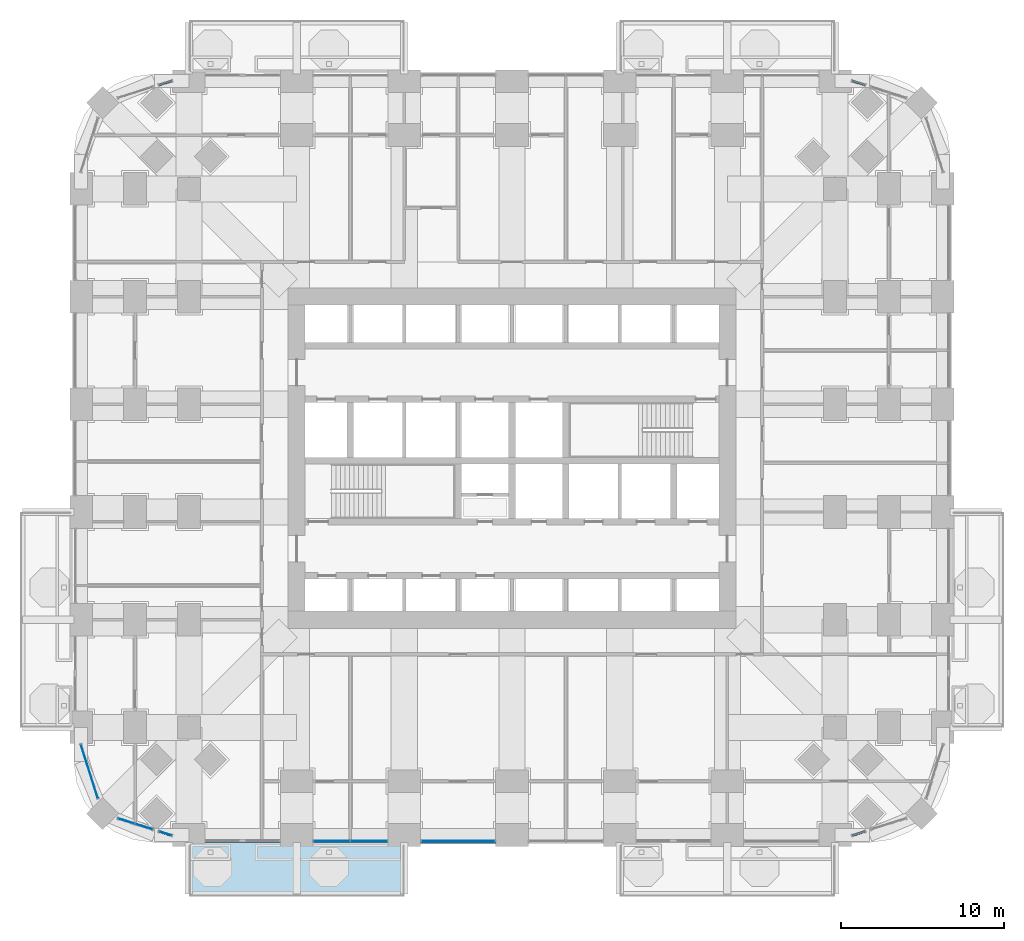
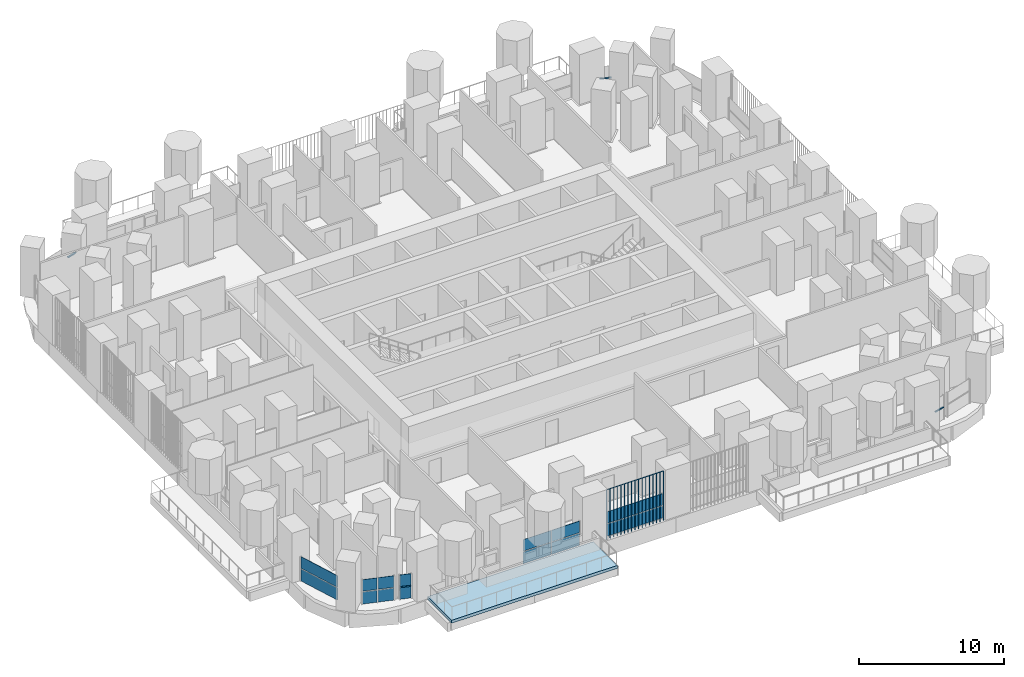
# One storey, part 11 of 27: 15 plates, 4 members, 1 slab, 8 elements without a shape of their own.
"""IFC4 building model written with IfcOpenShell, lengths in metres."""

from ifc_helpers import new_model, si_unit, direction, frame, origin, origin_2d, place, context, subcontext, project, spatial, polyline, rectangle, outline, extrude, material, layer, layer_set, material_profile, profile_set, type_object, element, aggregate, save


model = new_model("IFC4")

# Units and contexts
model_context = context("Model", 3, precision=1e-05, world=origin(), true_north=direction((0.0, 1.0)))
body_context = subcontext(model_context, "Body", "Model", "MODEL_VIEW")
ifc_project = project(units=[si_unit("LENGTHUNIT", "METRE"), si_unit("AREAUNIT", "SQUARE_METRE"), si_unit("VOLUMEUNIT", "CUBIC_METRE"), si_unit("PLANEANGLEUNIT", "RADIAN"), si_unit("MASSUNIT", "GRAM", prefix="KILO")], contexts=[model_context])

# Site, building, storey
site_placement = place(None, origin())
site = spatial("IfcSite", under=ifc_project, at=site_placement, CompositionType="ELEMENT")
building_placement = place(site_placement, origin())
building = spatial("IfcBuilding", under=site, at=building_placement, Name="Cobogo Forest Laboratory Tower", CompositionType="ELEMENT")
storey_placement = place(building_placement, frame((0.0, 0.0, 71.699951171875)))
storey = spatial("IfcBuildingStorey", under=building, at=storey_placement, Name="L16", CompositionType="ELEMENT", Elevation=71.699951171875)

# Curtain wall, member
ifc_material_1 = material(Name="Aluminium curtain wall", Category="aluminium")
curtain_wall_type = type_object("IfcCurtainWallType", Name="CW-1 unitised curtain wall, clear glazing, laboratory floors zones A and B", PredefinedType="USERDEFINED", material=ifc_material_1)
curtain_wall_1_placement = place(storey_placement, origin())
curtain_wall_1 = element("IfcCurtainWall", 1, at=curtain_wall_1_placement, inside=storey, type_object=curtain_wall_type, Name="Curtain wall 07 L16", ObjectType="UNITISED CURTAIN WALL", PredefinedType="USERDEFINED")
ifc_material_2 = material(Name="Aluminium transom", Category="aluminium")
ifc_material_profile = material_profile(ifc_material_2, rectangle(XDim=0.1201171875, YDim=0.06005859375, at=origin_2d()), Name="AL 60x120")
ifc_profile_set = profile_set([ifc_material_profile], Name="Aluminium transom")
member_type = type_object("IfcMemberType", Name="TR-1 aluminium transom 60x120", PredefinedType="USERDEFINED", material=ifc_profile_set)
member_1_placement = place(storey_placement, frame((47.25732421875, -0.01611328125, 1.050048828125), z_axis=(0.953541389606, 0.301262042596, 0.0), x_axis=(-0.301262042596, 0.953541389606, 0.0)))
member_1 = element("IfcMember", 2, at=member_1_placement, type_object=member_type, Name="CW-1 transom 1.1", ObjectType="TRANSOM", PredefinedType="USERDEFINED", context=body_context, shape_type="SweptSolid", body=[
    extrude(rectangle(XDim=0.1201171875, YDim=0.06005859375, at=origin_2d()), origin(), (0.0, 0.0, 1.0), 0.8046875),
])
aggregate(curtain_wall_1, [member_1])

curtain_wall_2_placement = place(storey_placement, origin())
curtain_wall_2 = element("IfcCurtainWall", 3, at=curtain_wall_2_placement, inside=storey, type_object=curtain_wall_type, Name="Curtain wall 17 L16", ObjectType="UNITISED CURTAIN WALL", PredefinedType="USERDEFINED")
member_2_placement = place(storey_placement, frame((48.024658203125, 45.973876953125, 1.050048828125), z_axis=(-0.953628510017, 0.300986153973, 0.0), x_axis=(-0.300986153973, -0.953628510017, 0.0)))
member_2 = element("IfcMember", 4, at=member_2_placement, type_object=member_type, Name="CW-1 transom 1.1", ObjectType="TRANSOM", PredefinedType="USERDEFINED", context=body_context, shape_type="SweptSolid", body=[
    extrude(rectangle(XDim=0.1201171875, YDim=0.06005859375, at=origin_2d()), origin(), (0.0, 0.0, 1.0), 0.8046875),
])
aggregate(curtain_wall_2, [member_2])

curtain_wall_3_placement = place(storey_placement, origin())
curtain_wall_3 = element("IfcCurtainWall", 5, at=curtain_wall_3_placement, inside=storey, type_object=curtain_wall_type, Name="Curtain wall 24 L16", ObjectType="UNITISED CURTAIN WALL", PredefinedType="USERDEFINED")
member_3_placement = place(storey_placement, frame((5.542724609375, 46.216064453125, 1.050048828125), z_axis=(-0.953628510017, -0.300986153973, 0.0), x_axis=(0.300986153973, -0.953628510017, 0.0)))
member_3 = element("IfcMember", 6, at=member_3_placement, type_object=member_type, Name="CW-1 transom 1.1", ObjectType="TRANSOM", PredefinedType="USERDEFINED", context=body_context, shape_type="SweptSolid", body=[
    extrude(rectangle(XDim=0.1201171875, YDim=0.06005859375, at=origin_2d()), origin(), (0.0, 0.0, 1.0), 0.8046875),
])
aggregate(curtain_wall_3, [member_3])

curtain_wall_4_placement = place(storey_placement, origin())
curtain_wall_4 = element("IfcCurtainWall", 7, at=curtain_wall_4_placement, inside=storey, type_object=curtain_wall_type, Name="Curtain wall 34 L16", ObjectType="UNITISED CURTAIN WALL", PredefinedType="USERDEFINED")
member_4_placement = place(storey_placement, frame((4.775390625, 0.226318359375, 1.050048828125), z_axis=(0.953541389606, -0.301262042596, 0.0), x_axis=(0.301262042596, 0.953541389606, 0.0)))
member_4 = element("IfcMember", 8, at=member_4_placement, type_object=member_type, Name="CW-1 transom 1.1", ObjectType="TRANSOM", PredefinedType="USERDEFINED", context=body_context, shape_type="SweptSolid", body=[
    extrude(rectangle(XDim=0.1201171875, YDim=0.06005859375, at=origin_2d()), origin(), (0.0, 0.0, 1.0), 0.8046875),
])

# Slab
ifc_material_3 = material(Name="Concrete HA-40 (C40/50)", Category="concrete")
ifc_layer_1 = layer(ifc_material_3, 0.25)
ifc_layer_set_1 = layer_set([ifc_layer_1], Name="Balcony slab 250")
slab_type = type_object("IfcSlabType", Name="Balcony slab 250", PredefinedType="FLOOR", material=ifc_layer_set_1)
slab_placement = place(storey_placement, frame((0.0, 0.0, -0.25)))
element("IfcSlab", 9, at=slab_placement, inside=storey, type_object=slab_type, Name="Balcony BAL-S1 L16", PredefinedType="FLOOR", context=body_context, shape_type="SweptSolid", body=[
    extrude(outline(polyline([(6.60009765625, -3.75), (19.800048828125, -3.75), (19.800048828125, -0.449951171875), (6.60009765625, -0.449951171875), (6.60009765625, -3.75)])), origin(), (0.0, 0.0, 1.0), 0.25),
])

# Curtain wall, plates
curtain_wall_5_placement = place(storey_placement, origin())
curtain_wall_5 = element("IfcCurtainWall", 10, at=curtain_wall_5_placement, inside=storey, type_object=curtain_wall_type, Name="Curtain wall 02 L16", ObjectType="UNITISED CURTAIN WALL", PredefinedType="USERDEFINED")
ifc_material_4 = material(Name="Clear insulated glass", Category="glass")
ifc_layer_2 = layer(ifc_material_4, 0.028076171875)
ifc_layer_set_2 = layer_set([ifc_layer_2], Name="GP-1 clear insulated glass unit 28")
plate_type_1 = type_object("IfcPlateType", Name="GP-1 clear insulated glass unit 28", PredefinedType="CURTAIN_PANEL", material=ifc_layer_set_2)
plate_1_placement = place(storey_placement, frame((15.364990234375, -0.35009765625, 0.0), z_axis=(0.0, 0.0, 1.0), x_axis=(1.0, 0.0, 0.0)))
plate_1 = element("IfcPlate", 11, at=plate_1_placement, type_object=plate_type_1, Name="CW-1 panel 1.1", PredefinedType="CURTAIN_PANEL", context=body_context, shape_type="SweptSolid", body=[
    extrude(rectangle(XDim=2.2099609375, YDim=0.028076171875, at=origin_2d()), origin(), (0.0, 0.0, 1.0), 1.02001953125),
])
plate_2_placement = place(storey_placement, frame((15.364990234375, -0.35009765625, 1.080078125), z_axis=(0.0, 0.0, 1.0), x_axis=(1.0, 0.0, 0.0)))
plate_2 = element("IfcPlate", 12, at=plate_2_placement, type_object=plate_type_1, Name="CW-1 panel 1.2", PredefinedType="CURTAIN_PANEL", context=body_context, shape_type="SweptSolid", body=[
    extrude(rectangle(XDim=2.2099609375, YDim=0.028076171875, at=origin_2d()), origin(), (0.0, 0.0, 1.0), 0.969970703125),
])
plate_3_placement = place(storey_placement, frame((17.635009765625, -0.35009765625, 0.0), z_axis=(0.0, 0.0, 1.0), x_axis=(1.0, 0.0, 0.0)))
plate_3 = element("IfcPlate", 13, at=plate_3_placement, type_object=plate_type_1, Name="CW-1 panel 2.1", PredefinedType="CURTAIN_PANEL", context=body_context, shape_type="SweptSolid", body=[
    extrude(rectangle(XDim=2.2099609375, YDim=0.028076171875, at=origin_2d()), origin(), (0.0, 0.0, 1.0), 1.02001953125),
])
plate_4_placement = place(storey_placement, frame((17.635009765625, -0.35009765625, 1.080078125), z_axis=(0.0, 0.0, 1.0), x_axis=(1.0, 0.0, 0.0)))
plate_4 = element("IfcPlate", 14, at=plate_4_placement, type_object=plate_type_1, Name="CW-1 panel 2.2", PredefinedType="CURTAIN_PANEL", context=body_context, shape_type="SweptSolid", body=[
    extrude(rectangle(XDim=2.2099609375, YDim=0.028076171875, at=origin_2d()), origin(), (0.0, 0.0, 1.0), 0.969970703125),
])
aggregate(curtain_wall_5, [plate_1, plate_2, plate_3, plate_4])

curtain_wall_6_placement = place(storey_placement, origin())
curtain_wall_6 = element("IfcCurtainWall", 15, at=curtain_wall_6_placement, inside=storey, type_object=curtain_wall_type, Name="Curtain wall 03 L16", ObjectType="UNITISED CURTAIN WALL", PredefinedType="USERDEFINED")
plate_5_placement = place(storey_placement, frame((23.10009765625, -0.35009765625, 0.0), z_axis=(0.0, 0.0, 1.0), x_axis=(1.0, 0.0, 0.0)))
plate_5 = element("IfcPlate", 16, at=plate_5_placement, type_object=plate_type_1, Name="CW-1 panel 1.1", PredefinedType="CURTAIN_PANEL", context=body_context, shape_type="SweptSolid", body=[
    extrude(rectangle(XDim=4.47998046875, YDim=0.028076171875, at=origin_2d()), origin(), (0.0, 0.0, 1.0), 1.02001953125),
])
plate_6_placement = place(storey_placement, frame((23.10009765625, -0.35009765625, 1.080078125), z_axis=(0.0, 0.0, 1.0), x_axis=(1.0, 0.0, 0.0)))
plate_6 = element("IfcPlate", 17, at=plate_6_placement, type_object=plate_type_1, Name="CW-1 panel 1.2", PredefinedType="CURTAIN_PANEL", context=body_context, shape_type="SweptSolid", body=[
    extrude(rectangle(XDim=4.47998046875, YDim=0.028076171875, at=origin_2d()), origin(), (0.0, 0.0, 1.0), 0.969970703125),
])
aggregate(curtain_wall_6, [plate_5, plate_6])

curtain_wall_7_placement = place(storey_placement, origin())
curtain_wall_7 = element("IfcCurtainWall", 18, at=curtain_wall_7_placement, inside=storey, type_object=curtain_wall_type, Name="Curtain wall 32 L16", ObjectType="UNITISED CURTAIN WALL", PredefinedType="USERDEFINED")
plate_7_placement = place(storey_placement, frame((0.5009765625, 3.905029296875, 0.0), z_axis=(0.0, 0.0, 1.0), x_axis=(0.301135433696, -0.953581381201, 0.0)))
plate_7 = element("IfcPlate", 19, at=plate_7_placement, type_object=plate_type_1, Name="CW-1 panel 1.1", PredefinedType="CURTAIN_PANEL", context=body_context, shape_type="SweptSolid", body=[
    extrude(rectangle(XDim=3.434814453125, YDim=0.028076171875, at=origin_2d()), origin(), (0.0, 0.0, 1.0), 1.02001953125),
])
plate_8_placement = place(storey_placement, frame((0.5009765625, 3.905029296875, 1.080078125), z_axis=(0.0, 0.0, 1.0), x_axis=(0.301135433696, -0.953581381201, 0.0)))
plate_8 = element("IfcPlate", 20, at=plate_8_placement, type_object=plate_type_1, Name="CW-1 panel 1.2", PredefinedType="CURTAIN_PANEL", context=body_context, shape_type="SweptSolid", body=[
    extrude(rectangle(XDim=3.434814453125, YDim=0.028076171875, at=origin_2d()), origin(), (0.0, 0.0, 1.0), 0.969970703125),
])
aggregate(curtain_wall_7, [plate_7, plate_8])

curtain_wall_8_placement = place(storey_placement, origin())
curtain_wall_8 = element("IfcCurtainWall", 21, at=curtain_wall_8_placement, inside=storey, type_object=curtain_wall_type, Name="Curtain wall 33 L16", ObjectType="UNITISED CURTAIN WALL", PredefinedType="USERDEFINED")
plate_9_placement = place(storey_placement, frame((2.75732421875, 0.863525390625, 0.0), z_axis=(0.0, 0.0, 1.0), x_axis=(0.953581409645, -0.301135343623, 0.0)))
plate_9 = element("IfcPlate", 22, at=plate_9_placement, type_object=plate_type_1, Name="CW-1 panel 1.1", PredefinedType="CURTAIN_PANEL", context=body_context, shape_type="SweptSolid", body=[
    extrude(rectangle(XDim=1.027587890625, YDim=0.028076171875, at=origin_2d()), origin(), (0.0, 0.0, 1.0), 1.02001953125),
])
plate_10_placement = place(storey_placement, frame((2.75732421875, 0.863525390625, 1.080078125), z_axis=(0.0, 0.0, 1.0), x_axis=(0.953581409645, -0.301135343623, 0.0)))
plate_10 = element("IfcPlate", 23, at=plate_10_placement, type_object=plate_type_1, Name="CW-1 panel 1.2", PredefinedType="CURTAIN_PANEL", context=body_context, shape_type="SweptSolid", body=[
    extrude(rectangle(XDim=1.027587890625, YDim=0.028076171875, at=origin_2d()), origin(), (0.0, 0.0, 1.0), 0.969970703125),
])
plate_11_placement = place(storey_placement, frame((3.83642578125, 0.522705078125, 0.0), z_axis=(0.0, 0.0, 1.0), x_axis=(0.953581409645, -0.301135343623, 0.0)))
plate_11 = element("IfcPlate", 24, at=plate_11_placement, type_object=plate_type_1, Name="CW-1 panel 2.1", PredefinedType="CURTAIN_PANEL", context=body_context, shape_type="SweptSolid", body=[
    extrude(rectangle(XDim=1.11572265625, YDim=0.028076171875, at=origin_2d()), origin(), (0.0, 0.0, 1.0), 1.02001953125),
])
plate_12_placement = place(storey_placement, frame((3.83642578125, 0.522705078125, 1.080078125), z_axis=(0.0, 0.0, 1.0), x_axis=(0.953581409645, -0.301135343623, 0.0)))
plate_12 = element("IfcPlate", 25, at=plate_12_placement, type_object=plate_type_1, Name="CW-1 panel 2.2", PredefinedType="CURTAIN_PANEL", context=body_context, shape_type="SweptSolid", body=[
    extrude(rectangle(XDim=1.11572265625, YDim=0.028076171875, at=origin_2d()), origin(), (0.0, 0.0, 1.0), 0.969970703125),
])
aggregate(curtain_wall_8, [plate_9, plate_10, plate_11, plate_12])

# Plate
plate_13_placement = place(storey_placement, frame((5.158935546875, 0.10498046875, 0.0), z_axis=(0.0, 0.0, 1.0), x_axis=(0.953581406818, -0.301135352577, 0.0)))
plate_13 = element("IfcPlate", 26, at=plate_13_placement, type_object=plate_type_1, Name="CW-1 panel 1.1", PredefinedType="CURTAIN_PANEL", context=body_context, shape_type="SweptSolid", body=[
    extrude(rectangle(XDim=0.804931640625, YDim=0.028076171875, at=origin_2d()), origin(), (0.0, 0.0, 1.0), 1.02001953125),
])

plate_14_placement = place(storey_placement, frame((5.158935546875, 0.10498046875, 1.080078125), z_axis=(0.0, 0.0, 1.0), x_axis=(0.953581406818, -0.301135352577, 0.0)))
plate_14 = element("IfcPlate", 27, at=plate_14_placement, type_object=plate_type_1, Name="CW-1 panel 1.2", PredefinedType="CURTAIN_PANEL", context=body_context, shape_type="SweptSolid", body=[
    extrude(rectangle(XDim=0.804931640625, YDim=0.028076171875, at=origin_2d()), origin(), (0.0, 0.0, 1.0), 0.969970703125),
])

aggregate(curtain_wall_4, [member_4, plate_13, plate_14])

ifc_material_5 = material(Name="Terracotta", Category="masonry")
plate_type_2 = type_object("IfcPlateType", Name="TB1 terracotta baguette screen", PredefinedType="USERDEFINED", material=ifc_material_5)
plate_15_placement = place(storey_placement, frame((20.831298828125, -0.477783203125, -0.14990234375)))
element("IfcPlate", 28, at=plate_15_placement, inside=storey, type_object=plate_type_2, Name="Baguette screen S3 L16", ObjectType="BAGUETTE SCREEN", PredefinedType="USERDEFINED", context=body_context, shape_type="SweptSolid", body=[
    extrude(outline(polyline([(0.02880859375, 0.011962890625), (0.011962890625, 0.02880859375), (-0.011962890625, 0.02880859375), (-0.02880859375, 0.011962890625), (-0.02880859375, -0.011962890625), (-0.011962890625, -0.02880859375), (0.011962890625, -0.02880859375), (0.02880859375, -0.011962890625), (0.02880859375, 0.011962890625)])), frame((0.0, 0.0, 4.168701171875), z_axis=(1.0, 0.0, 0.0), x_axis=(0.0, 1.0, 0.0)), (0.0, 0.0, 1.0), 4.537353515625),
    extrude(outline(polyline([(0.02880859375, 0.011962890625), (0.011962890625, 0.02880859375), (-0.011962890625, 0.02880859375), (-0.02880859375, 0.011962890625), (-0.02880859375, -0.011962890625), (-0.011962890625, -0.02880859375), (0.011962890625, -0.02880859375), (0.02880859375, -0.011962890625), (0.02880859375, 0.011962890625)])), origin(), (0.0, 0.0, 1.0), 4.137451171875),
    extrude(outline(polyline([(0.02880859375, 0.011962890625), (0.011962890625, 0.02880859375), (-0.011962890625, 0.02880859375), (-0.02880859375, 0.011962890625), (-0.02880859375, -0.011962890625), (-0.011962890625, -0.02880859375), (0.011962890625, -0.02880859375), (0.02880859375, -0.011962890625), (0.02880859375, 0.011962890625)])), frame((0.28369140625, 0.0, 0.0)), (0.0, 0.0, 1.0), 4.137451171875),
    extrude(outline(polyline([(0.02880859375, 0.011962890625), (0.011962890625, 0.02880859375), (-0.011962890625, 0.02880859375), (-0.02880859375, 0.011962890625), (-0.02880859375, -0.011962890625), (-0.011962890625, -0.02880859375), (0.011962890625, -0.02880859375), (0.02880859375, -0.011962890625), (0.02880859375, 0.011962890625)])), frame((0.567138671875, 0.0, 0.0)), (0.0, 0.0, 1.0), 4.137451171875),
    extrude(outline(polyline([(0.02880859375, 0.011962890625), (0.011962890625, 0.02880859375), (-0.011962890625, 0.02880859375), (-0.02880859375, 0.011962890625), (-0.02880859375, -0.011962890625), (-0.011962890625, -0.02880859375), (0.011962890625, -0.02880859375), (0.02880859375, -0.011962890625), (0.02880859375, 0.011962890625)])), frame((0.850830078125, 0.0, 0.0)), (0.0, 0.0, 1.0), 4.137451171875),
    extrude(outline(polyline([(0.02880859375, 0.011962890625), (0.011962890625, 0.02880859375), (-0.011962890625, 0.02880859375), (-0.02880859375, 0.011962890625), (-0.02880859375, -0.011962890625), (-0.011962890625, -0.02880859375), (0.011962890625, -0.02880859375), (0.02880859375, -0.011962890625), (0.02880859375, 0.011962890625)])), frame((1.13427734375, 0.0, 0.0)), (0.0, 0.0, 1.0), 4.137451171875),
    extrude(outline(polyline([(0.02880859375, 0.011962890625), (0.011962890625, 0.02880859375), (-0.011962890625, 0.02880859375), (-0.02880859375, 0.011962890625), (-0.02880859375, -0.011962890625), (-0.011962890625, -0.02880859375), (0.011962890625, -0.02880859375), (0.02880859375, -0.011962890625), (0.02880859375, 0.011962890625)])), frame((1.41796875, 0.0, 0.0)), (0.0, 0.0, 1.0), 4.137451171875),
    extrude(outline(polyline([(0.02880859375, 0.011962890625), (0.011962890625, 0.02880859375), (-0.011962890625, 0.02880859375), (-0.02880859375, 0.011962890625), (-0.02880859375, -0.011962890625), (-0.011962890625, -0.02880859375), (0.011962890625, -0.02880859375), (0.02880859375, -0.011962890625), (0.02880859375, 0.011962890625)])), frame((1.701416015625, 0.0, 0.0)), (0.0, 0.0, 1.0), 4.137451171875),
    extrude(outline(polyline([(0.02880859375, 0.011962890625), (0.011962890625, 0.02880859375), (-0.011962890625, 0.02880859375), (-0.02880859375, 0.011962890625), (-0.02880859375, -0.011962890625), (-0.011962890625, -0.02880859375), (0.011962890625, -0.02880859375), (0.02880859375, -0.011962890625), (0.02880859375, 0.011962890625)])), frame((1.985107421875, 0.0, 0.0)), (0.0, 0.0, 1.0), 4.137451171875),
    extrude(outline(polyline([(0.02880859375, 0.011962890625), (0.011962890625, 0.02880859375), (-0.011962890625, 0.02880859375), (-0.02880859375, 0.011962890625), (-0.02880859375, -0.011962890625), (-0.011962890625, -0.02880859375), (0.011962890625, -0.02880859375), (0.02880859375, -0.011962890625), (0.02880859375, 0.011962890625)])), frame((2.2685546875, 0.0, 0.0)), (0.0, 0.0, 1.0), 4.137451171875),
    extrude(outline(polyline([(0.02880859375, 0.011962890625), (0.011962890625, 0.02880859375), (-0.011962890625, 0.02880859375), (-0.02880859375, 0.011962890625), (-0.02880859375, -0.011962890625), (-0.011962890625, -0.02880859375), (0.011962890625, -0.02880859375), (0.02880859375, -0.011962890625), (0.02880859375, 0.011962890625)])), frame((2.55224609375, 0.0, 0.0)), (0.0, 0.0, 1.0), 4.137451171875),
    extrude(outline(polyline([(0.02880859375, 0.011962890625), (0.011962890625, 0.02880859375), (-0.011962890625, 0.02880859375), (-0.02880859375, 0.011962890625), (-0.02880859375, -0.011962890625), (-0.011962890625, -0.02880859375), (0.011962890625, -0.02880859375), (0.02880859375, -0.011962890625), (0.02880859375, 0.011962890625)])), frame((2.8359375, 0.0, 0.0)), (0.0, 0.0, 1.0), 4.137451171875),
    extrude(outline(polyline([(0.02880859375, 0.011962890625), (0.011962890625, 0.02880859375), (-0.011962890625, 0.02880859375), (-0.02880859375, 0.011962890625), (-0.02880859375, -0.011962890625), (-0.011962890625, -0.02880859375), (0.011962890625, -0.02880859375), (0.02880859375, -0.011962890625), (0.02880859375, 0.011962890625)])), frame((3.119384765625, 0.0, 0.0)), (0.0, 0.0, 1.0), 4.137451171875),
    extrude(outline(polyline([(0.02880859375, 0.011962890625), (0.011962890625, 0.02880859375), (-0.011962890625, 0.02880859375), (-0.02880859375, 0.011962890625), (-0.02880859375, -0.011962890625), (-0.011962890625, -0.02880859375), (0.011962890625, -0.02880859375), (0.02880859375, -0.011962890625), (0.02880859375, 0.011962890625)])), frame((3.403076171875, 0.0, 0.0)), (0.0, 0.0, 1.0), 4.137451171875),
    extrude(outline(polyline([(0.02880859375, 0.011962890625), (0.011962890625, 0.02880859375), (-0.011962890625, 0.02880859375), (-0.02880859375, 0.011962890625), (-0.02880859375, -0.011962890625), (-0.011962890625, -0.02880859375), (0.011962890625, -0.02880859375), (0.02880859375, -0.011962890625), (0.02880859375, 0.011962890625)])), frame((3.6865234375, 0.0, 0.0)), (0.0, 0.0, 1.0), 4.137451171875),
    extrude(outline(polyline([(0.02880859375, 0.011962890625), (0.011962890625, 0.02880859375), (-0.011962890625, 0.02880859375), (-0.02880859375, 0.011962890625), (-0.02880859375, -0.011962890625), (-0.011962890625, -0.02880859375), (0.011962890625, -0.02880859375), (0.02880859375, -0.011962890625), (0.02880859375, 0.011962890625)])), frame((3.97021484375, 0.0, 0.0)), (0.0, 0.0, 1.0), 4.137451171875),
    extrude(outline(polyline([(0.02880859375, 0.011962890625), (0.011962890625, 0.02880859375), (-0.011962890625, 0.02880859375), (-0.02880859375, 0.011962890625), (-0.02880859375, -0.011962890625), (-0.011962890625, -0.02880859375), (0.011962890625, -0.02880859375), (0.02880859375, -0.011962890625), (0.02880859375, 0.011962890625)])), frame((4.253662109375, 0.0, 0.0)), (0.0, 0.0, 1.0), 4.137451171875),
    extrude(outline(polyline([(0.02880859375, 0.011962890625), (0.011962890625, 0.02880859375), (-0.011962890625, 0.02880859375), (-0.02880859375, 0.011962890625), (-0.02880859375, -0.011962890625), (-0.011962890625, -0.02880859375), (0.011962890625, -0.02880859375), (0.02880859375, -0.011962890625), (0.02880859375, 0.011962890625)])), frame((4.537353515625, 0.0, 0.0)), (0.0, 0.0, 1.0), 4.137451171875),
])

save(model, "model.ifc")
